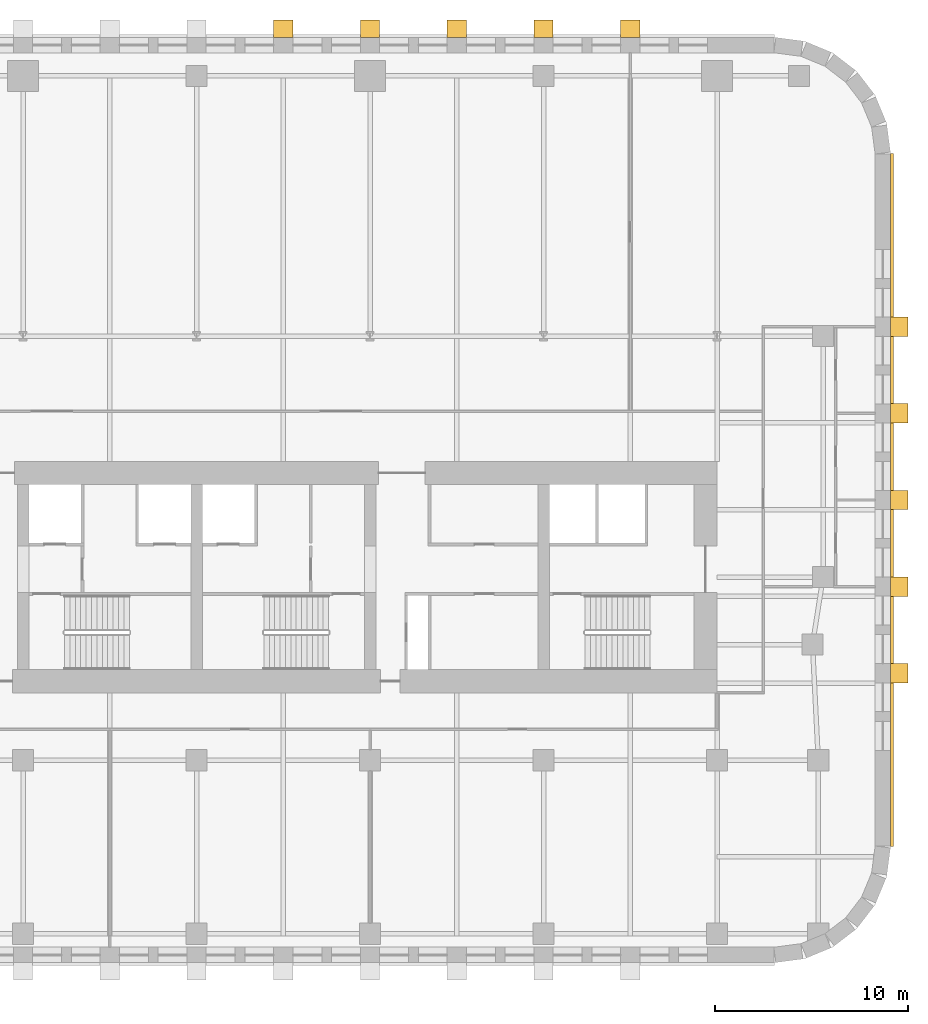
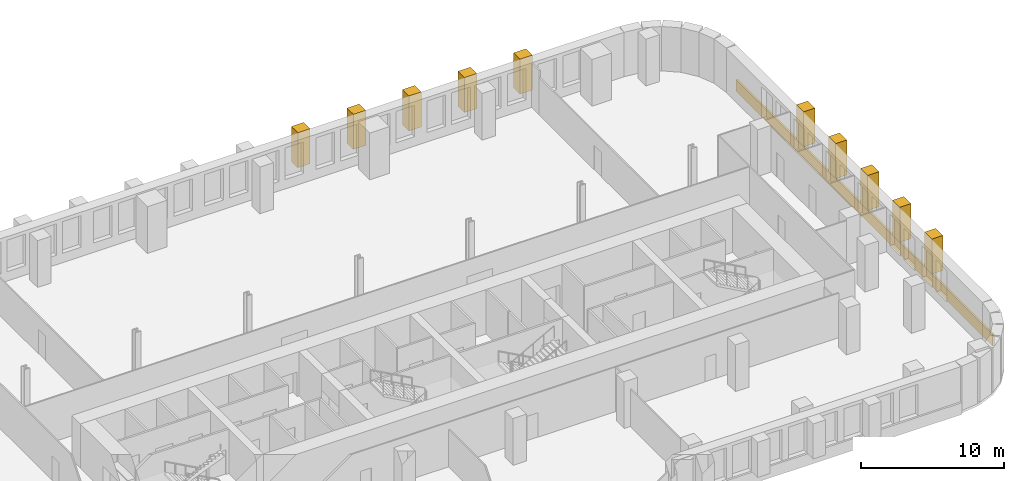
# One storey, part 11 of 11: 11 coverings.
"""IFC4 building model written with IfcOpenShell, lengths in metres."""

from ifc_helpers import new_model, si_unit, direction, frame, origin, place, context, subcontext, project, spatial, polyline, outline, extrude, material, layer, layer_set, type_object, element, save


model = new_model("IFC4")

# Units and contexts
model_context = context("Model", 3, precision=1e-05, world=origin(), true_north=direction((0.0, 1.0)))
body_context = subcontext(model_context, "Body", "Model", "MODEL_VIEW")
ifc_project = project(units=[si_unit("LENGTHUNIT", "METRE"), si_unit("AREAUNIT", "SQUARE_METRE"), si_unit("VOLUMEUNIT", "CUBIC_METRE"), si_unit("PLANEANGLEUNIT", "RADIAN"), si_unit("MASSUNIT", "GRAM", prefix="KILO")], contexts=[model_context])

# Site, building, storey
site_placement = place(None, origin())
site = spatial("IfcSite", under=ifc_project, at=site_placement, CompositionType="ELEMENT")
building_placement = place(site_placement, origin())
building = spatial("IfcBuilding", under=site, at=building_placement, Name="Zellij Exchange Tower", CompositionType="ELEMENT")
storey_placement = place(building_placement, frame((0.0, 0.0, 56.5)))
storey = spatial("IfcBuildingStorey", under=building, at=storey_placement, Name="L10", CompositionType="ELEMENT", Elevation=56.5)

# Coverings
ifc_material = material(Name="Limestone cladding", Category="masonry")
ifc_layer = layer(ifc_material, 0.14990234375)
ifc_layer_set = layer_set([ifc_layer], Name="Limestone cladding")
covering_type_1 = type_object("IfcCoveringType", Name="ENV-CV1 Stone spandrel band 150", PredefinedType="CLADDING", material=ifc_layer_set)
covering_1_placement = place(storey_placement, frame((0.0, 0.0, -0.199951171875)))
element("IfcCovering", 1, at=covering_1_placement, inside=storey, type_object=covering_type_1, Name="Stone spandrel band", PredefinedType="CLADDING", context=body_context, shape_type="SweptSolid", body=[
    extrude(outline(polyline([(36.0, -21.973876953125), (36.0, 13.973876953125), (36.14990234375, 13.983642578125), (36.14990234375, -21.983642578125), (36.0, -21.973876953125)])), origin(), (0.0, 0.0, 1.0), 1.0),
])
covering_type_2 = type_object("IfcCoveringType", Name="ENV-CV2 Stone pier 1000x900", PredefinedType="CLADDING", material=ifc_material)
covering_2_placement = place(storey_placement, frame((0.0, 0.0, 0.800048828125)))
element("IfcCovering", 2, at=covering_2_placement, inside=storey, type_object=covering_type_2, Name="Stone pier", PredefinedType="CLADDING", context=body_context, shape_type="SweptSolid", body=[
    extrude(outline(polyline([(36.0, -13.48681640625), (36.0, -12.48681640625), (36.89990234375, -12.48681640625), (36.89990234375, -13.48681640625), (36.0, -13.48681640625)])), origin(), (0.0, 0.0, 1.0), 3.0),
])
covering_3_placement = place(storey_placement, frame((0.0, 0.0, 0.800048828125)))
element("IfcCovering", 3, at=covering_3_placement, inside=storey, type_object=covering_type_2, Name="Stone pier", PredefinedType="CLADDING", context=body_context, shape_type="SweptSolid", body=[
    extrude(outline(polyline([(36.0, -8.993408203125), (36.0, -7.993408203125), (36.89990234375, -7.993408203125), (36.89990234375, -8.993408203125), (36.0, -8.993408203125)])), origin(), (0.0, 0.0, 1.0), 3.0),
])
covering_4_placement = place(storey_placement, frame((0.0, 0.0, 0.800048828125)))
element("IfcCovering", 4, at=covering_4_placement, inside=storey, type_object=covering_type_2, Name="Stone pier", PredefinedType="CLADDING", context=body_context, shape_type="SweptSolid", body=[
    extrude(outline(polyline([(36.0, -4.5), (36.0, -3.5), (36.89990234375, -3.5), (36.89990234375, -4.5), (36.0, -4.5)])), origin(), (0.0, 0.0, 1.0), 3.0),
])
covering_5_placement = place(storey_placement, frame((0.0, 0.0, 0.800048828125)))
element("IfcCovering", 5, at=covering_5_placement, inside=storey, type_object=covering_type_2, Name="Stone pier", PredefinedType="CLADDING", context=body_context, shape_type="SweptSolid", body=[
    extrude(outline(polyline([(36.0, -0.006591796875), (36.0, 0.993408203125), (36.89990234375, 0.993408203125), (36.89990234375, -0.006591796875), (36.0, -0.006591796875)])), origin(), (0.0, 0.0, 1.0), 3.0),
])
covering_6_placement = place(storey_placement, frame((0.0, 0.0, 0.800048828125)))
element("IfcCovering", 6, at=covering_6_placement, inside=storey, type_object=covering_type_2, Name="Stone pier", PredefinedType="CLADDING", context=body_context, shape_type="SweptSolid", body=[
    extrude(outline(polyline([(36.0, 4.48681640625), (36.0, 5.48681640625), (36.89990234375, 5.48681640625), (36.89990234375, 4.48681640625), (36.0, 4.48681640625)])), origin(), (0.0, 0.0, 1.0), 3.0),
])
covering_7_placement = place(storey_placement, frame((0.0, 0.0, 0.800048828125)))
element("IfcCovering", 7, at=covering_7_placement, inside=storey, type_object=covering_type_2, Name="Stone pier", PredefinedType="CLADDING", context=body_context, shape_type="SweptSolid", body=[
    extrude(outline(polyline([(23.0, 20.0), (22.0, 20.0), (22.0, 20.89990234375), (23.0, 20.89990234375), (23.0, 20.0)])), origin(), (0.0, 0.0, 1.0), 3.0),
])
covering_8_placement = place(storey_placement, frame((0.0, 0.0, 0.800048828125)))
element("IfcCovering", 8, at=covering_8_placement, inside=storey, type_object=covering_type_2, Name="Stone pier", PredefinedType="CLADDING", context=body_context, shape_type="SweptSolid", body=[
    extrude(outline(polyline([(18.5, 20.0), (17.5, 20.0), (17.5, 20.89990234375), (18.5, 20.89990234375), (18.5, 20.0)])), origin(), (0.0, 0.0, 1.0), 3.0),
])
covering_9_placement = place(storey_placement, frame((0.0, 0.0, 0.800048828125)))
element("IfcCovering", 9, at=covering_9_placement, inside=storey, type_object=covering_type_2, Name="Stone pier", PredefinedType="CLADDING", context=body_context, shape_type="SweptSolid", body=[
    extrude(outline(polyline([(14.0, 20.0), (13.0, 20.0), (13.0, 20.89990234375), (14.0, 20.89990234375), (14.0, 20.0)])), origin(), (0.0, 0.0, 1.0), 3.0),
])
covering_10_placement = place(storey_placement, frame((0.0, 0.0, 0.800048828125)))
element("IfcCovering", 10, at=covering_10_placement, inside=storey, type_object=covering_type_2, Name="Stone pier", PredefinedType="CLADDING", context=body_context, shape_type="SweptSolid", body=[
    extrude(outline(polyline([(9.5, 20.0), (8.5, 20.0), (8.5, 20.89990234375), (9.5, 20.89990234375), (9.5, 20.0)])), origin(), (0.0, 0.0, 1.0), 3.0),
])
covering_11_placement = place(storey_placement, frame((0.0, 0.0, 0.800048828125)))
element("IfcCovering", 11, at=covering_11_placement, inside=storey, type_object=covering_type_2, Name="Stone pier", PredefinedType="CLADDING", context=body_context, shape_type="SweptSolid", body=[
    extrude(outline(polyline([(5.0, 20.0), (4.0, 20.0), (4.0, 20.89990234375), (5.0, 20.89990234375), (5.0, 20.0)])), origin(), (0.0, 0.0, 1.0), 3.0),
])

save(model, "model.ifc")
